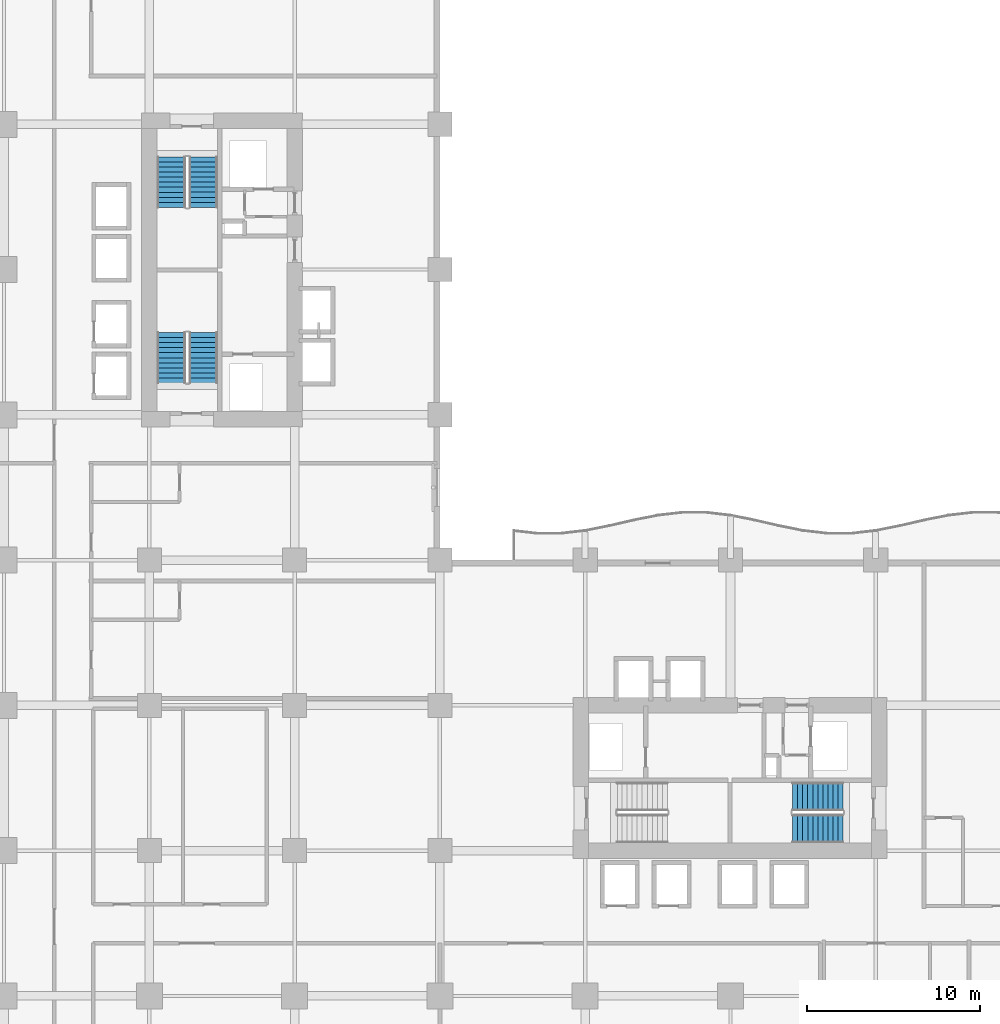
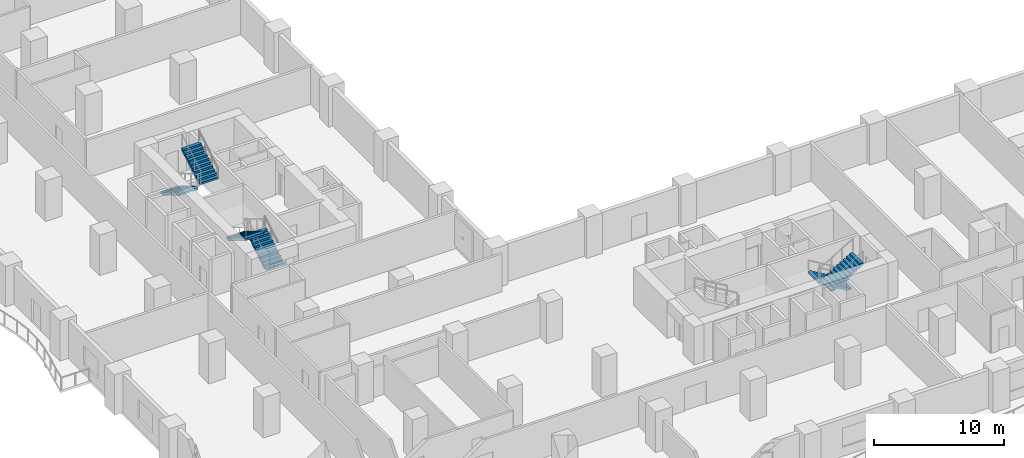
# One storey, part 12 of 18: 6 stair flights, 3 elements without a shape of their own.
"""IFC4 building model written with IfcOpenShell, lengths in metres."""

from ifc_helpers import new_model, si_unit, direction, frame, origin, place, context, subcontext, project, spatial, polyline, outline, extrude, material, type_object, element, aggregate, save


model = new_model("IFC4")

# Units and contexts
model_context = context("Model", 3, precision=1e-05, world=origin(), true_north=direction((0.0, 1.0)))
body_context = subcontext(model_context, "Body", "Model", "MODEL_VIEW")
ifc_project = project(units=[si_unit("LENGTHUNIT", "METRE"), si_unit("AREAUNIT", "SQUARE_METRE"), si_unit("VOLUMEUNIT", "CUBIC_METRE"), si_unit("PLANEANGLEUNIT", "RADIAN"), si_unit("MASSUNIT", "GRAM", prefix="KILO")], contexts=[model_context])

# Site, building, storey
site_placement = place(None, origin())
site = spatial("IfcSite", under=ifc_project, at=site_placement, CompositionType="ELEMENT")
building_placement = place(site_placement, origin())
building = spatial("IfcBuilding", under=site, at=building_placement, Name="Koriwani Terraces Tower", CompositionType="ELEMENT")
storey_placement = place(building_placement, frame((0.0, 0.0, 81.39990234375)))
storey = spatial("IfcBuildingStorey", under=building, at=storey_placement, Name="L19", CompositionType="ELEMENT", Elevation=81.39990234375)

# Stair, stair flights
ifc_material = material(Name="Concrete C40/50", Category="concrete")
stair_type = type_object("IfcStairType", Name="STAIR_CORE_DOGLEG_1650", PredefinedType="TWO_STRAIGHT_RUN_STAIR", material=ifc_material)
stair_1_placement = place(storey_placement, origin())
stair_1 = element("IfcStair", 1, at=stair_1_placement, inside=storey, type_object=stair_type, Name="L19 West Core Exit Stair 1", PredefinedType="HALF_TURN_STAIR")
stair_flight_type = type_object("IfcStairFlightType", Name="STAIR_FLIGHT_RC_1650", PredefinedType="STRAIGHT", material=ifc_material)
stair_flight_1_placement = place(storey_placement, frame((19.925048828125, 43.85009765625, 0.0), z_axis=(0.0, 0.0, 1.0), x_axis=(0.0, 1.0, 0.0)))
stair_flight_1 = element("IfcStairFlight", 2, at=stair_flight_1_placement, type_object=stair_flight_type, Name="ST-W1 flight 1", NumberOfRisers=11, NumberOfTreads=10, PredefinedType="STRAIGHT", RiserHeight=0.172727273, TreadLength=0.29, context=body_context, shape_type="SweptSolid", body=[
    extrude(outline(polyline([(0.0, 0.0), (0.0, 0.172607421875), (0.2900390625, 0.172607421875), (0.2900390625, 0.345458984375), (0.580078125, 0.345458984375), (0.580078125, 0.51806640625), (0.8701171875, 0.51806640625), (0.8701171875, 0.69091796875), (1.159912109375, 0.69091796875), (1.159912109375, 0.863525390625), (1.449951171875, 0.863525390625), (1.449951171875, 1.036376953125), (1.739990234375, 1.036376953125), (1.739990234375, 1.208984375), (2.030029296875, 1.208984375), (2.030029296875, 1.3818359375), (2.320068359375, 1.3818359375), (2.320068359375, 1.554443359375), (2.610107421875, 1.554443359375), (2.610107421875, 1.727294921875), (2.89990234375, 1.727294921875), (2.89990234375, 1.89990234375), (2.89990234375, 1.517822265625), (0.3515625, 0.0), (0.0, 0.0)])), frame((0.0, 0.824951171875, 0.0), z_axis=(0.0, -1.0, 0.0), x_axis=(1.0, 0.0, 0.0)), (0.0, 0.0, 1.0), 1.64990234375),
])
stair_flight_2_placement = place(storey_placement, frame((18.074951171875, 46.75, 1.900146484375), z_axis=(0.0, 0.0, 1.0), x_axis=(0.0, -1.0, 0.0)))
stair_flight_2 = element("IfcStairFlight", 3, at=stair_flight_2_placement, type_object=stair_flight_type, Name="ST-W1 flight 2", NumberOfRisers=11, NumberOfTreads=10, PredefinedType="STRAIGHT", RiserHeight=0.172727273, TreadLength=0.29, context=body_context, shape_type="SweptSolid", body=[
    extrude(outline(polyline([(0.0, 0.0), (0.0, 0.172607421875), (0.2900390625, 0.172607421875), (0.2900390625, 0.345458984375), (0.580078125, 0.345458984375), (0.580078125, 0.51806640625), (0.8701171875, 0.51806640625), (0.8701171875, 0.69091796875), (1.159912109375, 0.69091796875), (1.159912109375, 0.863525390625), (1.449951171875, 0.863525390625), (1.449951171875, 1.036376953125), (1.739990234375, 1.036376953125), (1.739990234375, 1.208984375), (2.030029296875, 1.208984375), (2.030029296875, 1.3818359375), (2.320068359375, 1.3818359375), (2.320068359375, 1.554443359375), (2.610107421875, 1.554443359375), (2.610107421875, 1.727294921875), (2.89990234375, 1.727294921875), (2.89990234375, 1.89990234375), (2.89990234375, 1.517822265625), (0.3515625, 0.0), (0.0, 0.0)])), frame((0.0, 0.824951171875, 0.0), z_axis=(0.0, -1.0, 0.0), x_axis=(1.0, 0.0, 0.0)), (0.0, 0.0, 1.0), 1.64990234375),
])
aggregate(stair_1, [stair_flight_1, stair_flight_2])

stair_2_placement = place(storey_placement, origin())
stair_2 = element("IfcStair", 4, at=stair_2_placement, inside=storey, type_object=stair_type, Name="L19 West Core Exit Stair 2", PredefinedType="HALF_TURN_STAIR")
stair_flight_3_placement = place(storey_placement, frame((18.074951171875, 56.89990234375, 0.0), z_axis=(0.0, 0.0, 1.0), x_axis=(0.0, -1.0, 0.0)))
stair_flight_3 = element("IfcStairFlight", 5, at=stair_flight_3_placement, type_object=stair_flight_type, Name="ST-W2 flight 1", NumberOfRisers=11, NumberOfTreads=10, PredefinedType="STRAIGHT", RiserHeight=0.172727273, TreadLength=0.29, context=body_context, shape_type="SweptSolid", body=[
    extrude(outline(polyline([(0.0, 0.0), (0.0, 0.172607421875), (0.2900390625, 0.172607421875), (0.2900390625, 0.345458984375), (0.580078125, 0.345458984375), (0.580078125, 0.51806640625), (0.8701171875, 0.51806640625), (0.8701171875, 0.69091796875), (1.159912109375, 0.69091796875), (1.159912109375, 0.863525390625), (1.449951171875, 0.863525390625), (1.449951171875, 1.036376953125), (1.739990234375, 1.036376953125), (1.739990234375, 1.208984375), (2.030029296875, 1.208984375), (2.030029296875, 1.3818359375), (2.320068359375, 1.3818359375), (2.320068359375, 1.554443359375), (2.610107421875, 1.554443359375), (2.610107421875, 1.727294921875), (2.89990234375, 1.727294921875), (2.89990234375, 1.89990234375), (2.89990234375, 1.517822265625), (0.3515625, 0.0), (0.0, 0.0)])), frame((0.0, 0.824951171875, 0.0), z_axis=(0.0, -1.0, 0.0), x_axis=(1.0, 0.0, 0.0)), (0.0, 0.0, 1.0), 1.64990234375),
])
stair_flight_4_placement = place(storey_placement, frame((19.925048828125, 54.0, 1.900146484375), z_axis=(0.0, 0.0, 1.0), x_axis=(0.0, 1.0, 0.0)))
stair_flight_4 = element("IfcStairFlight", 6, at=stair_flight_4_placement, type_object=stair_flight_type, Name="ST-W2 flight 2", NumberOfRisers=11, NumberOfTreads=10, PredefinedType="STRAIGHT", RiserHeight=0.172727273, TreadLength=0.29, context=body_context, shape_type="SweptSolid", body=[
    extrude(outline(polyline([(0.0, 0.0), (0.0, 0.172607421875), (0.2900390625, 0.172607421875), (0.2900390625, 0.345458984375), (0.580078125, 0.345458984375), (0.580078125, 0.51806640625), (0.8701171875, 0.51806640625), (0.8701171875, 0.69091796875), (1.159912109375, 0.69091796875), (1.159912109375, 0.863525390625), (1.449951171875, 0.863525390625), (1.449951171875, 1.036376953125), (1.739990234375, 1.036376953125), (1.739990234375, 1.208984375), (2.030029296875, 1.208984375), (2.030029296875, 1.3818359375), (2.320068359375, 1.3818359375), (2.320068359375, 1.554443359375), (2.610107421875, 1.554443359375), (2.610107421875, 1.727294921875), (2.89990234375, 1.727294921875), (2.89990234375, 1.89990234375), (2.89990234375, 1.517822265625), (0.3515625, 0.0), (0.0, 0.0)])), frame((0.0, 0.824951171875, 0.0), z_axis=(0.0, -1.0, 0.0), x_axis=(1.0, 0.0, 0.0)), (0.0, 0.0, 1.0), 1.64990234375),
])
aggregate(stair_2, [stair_flight_3, stair_flight_4])

stair_3_placement = place(storey_placement, origin())
stair_3 = element("IfcStair", 7, at=stair_3_placement, inside=storey, type_object=stair_type, Name="L19 East Core Exit Stair 2", PredefinedType="HALF_TURN_STAIR")
stair_flight_5_placement = place(storey_placement, frame((56.89990234375, 19.925048828125, 0.0), z_axis=(0.0, 0.0, 1.0), x_axis=(-1.0, 0.0, 0.0)))
stair_flight_5 = element("IfcStairFlight", 8, at=stair_flight_5_placement, type_object=stair_flight_type, Name="ST-E2 flight 1", NumberOfRisers=11, NumberOfTreads=10, PredefinedType="STRAIGHT", RiserHeight=0.172727273, TreadLength=0.29, context=body_context, shape_type="SweptSolid", body=[
    extrude(outline(polyline([(0.0, 0.0), (0.0, 0.172607421875), (0.2900390625, 0.172607421875), (0.2900390625, 0.345458984375), (0.580078125, 0.345458984375), (0.580078125, 0.51806640625), (0.8701171875, 0.51806640625), (0.8701171875, 0.69091796875), (1.159912109375, 0.69091796875), (1.159912109375, 0.863525390625), (1.449951171875, 0.863525390625), (1.449951171875, 1.036376953125), (1.739990234375, 1.036376953125), (1.739990234375, 1.208984375), (2.030029296875, 1.208984375), (2.030029296875, 1.3818359375), (2.320068359375, 1.3818359375), (2.320068359375, 1.554443359375), (2.610107421875, 1.554443359375), (2.610107421875, 1.727294921875), (2.89990234375, 1.727294921875), (2.89990234375, 1.89990234375), (2.89990234375, 1.517822265625), (0.3515625, 0.0), (0.0, 0.0)])), frame((0.0, 0.824951171875, 0.0), z_axis=(0.0, -1.0, 0.0), x_axis=(1.0, 0.0, 0.0)), (0.0, 0.0, 1.0), 1.64990234375),
])
stair_flight_6_placement = place(storey_placement, frame((54.0, 18.074951171875, 1.900146484375), z_axis=(0.0, 0.0, 1.0), x_axis=(1.0, 0.0, 0.0)))
stair_flight_6 = element("IfcStairFlight", 9, at=stair_flight_6_placement, type_object=stair_flight_type, Name="ST-E2 flight 2", NumberOfRisers=11, NumberOfTreads=10, PredefinedType="STRAIGHT", RiserHeight=0.172727273, TreadLength=0.29, context=body_context, shape_type="SweptSolid", body=[
    extrude(outline(polyline([(0.0, 0.0), (0.0, 0.172607421875), (0.2900390625, 0.172607421875), (0.2900390625, 0.345458984375), (0.580078125, 0.345458984375), (0.580078125, 0.51806640625), (0.8701171875, 0.51806640625), (0.8701171875, 0.69091796875), (1.159912109375, 0.69091796875), (1.159912109375, 0.863525390625), (1.449951171875, 0.863525390625), (1.449951171875, 1.036376953125), (1.739990234375, 1.036376953125), (1.739990234375, 1.208984375), (2.030029296875, 1.208984375), (2.030029296875, 1.3818359375), (2.320068359375, 1.3818359375), (2.320068359375, 1.554443359375), (2.610107421875, 1.554443359375), (2.610107421875, 1.727294921875), (2.89990234375, 1.727294921875), (2.89990234375, 1.89990234375), (2.89990234375, 1.517822265625), (0.3515625, 0.0), (0.0, 0.0)])), frame((0.0, 0.824951171875, 0.0), z_axis=(0.0, -1.0, 0.0), x_axis=(1.0, 0.0, 0.0)), (0.0, 0.0, 1.0), 1.64990234375),
])
aggregate(stair_3, [stair_flight_5, stair_flight_6])

save(model, "model.ifc")
